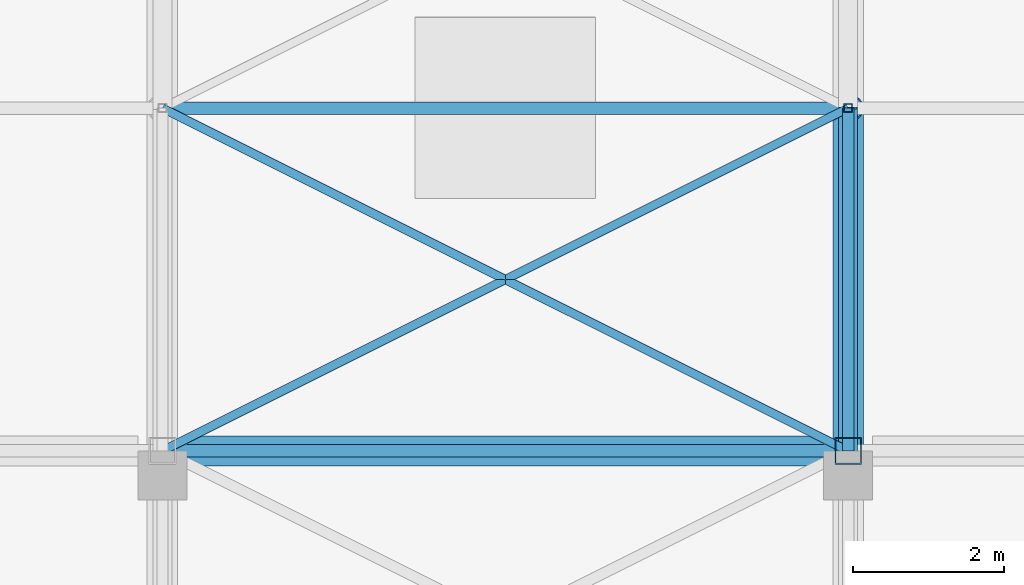
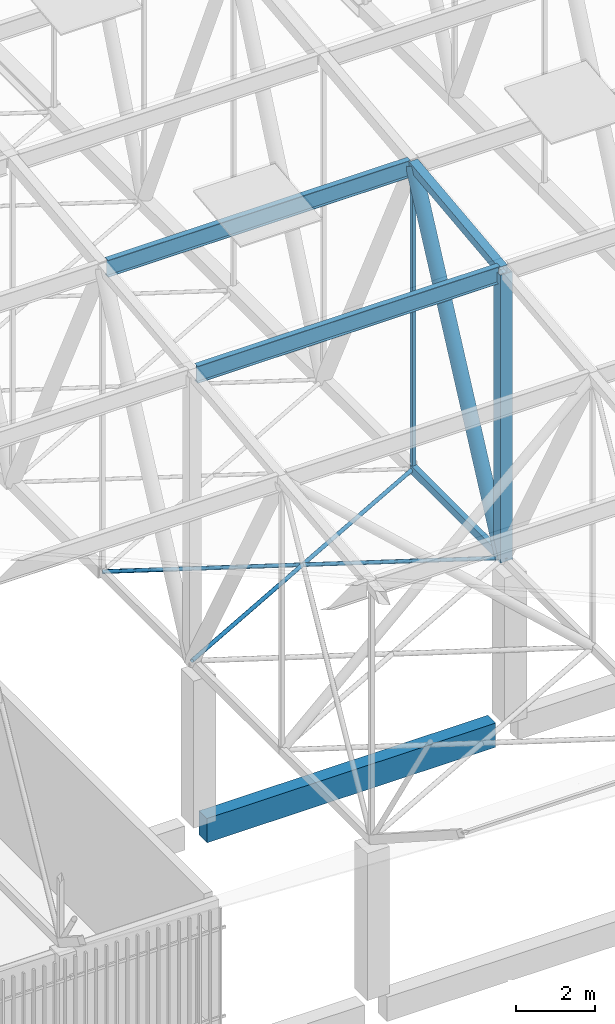
# One storey, part 46 of 500: 9 members, 1 beam.
"""IFC4 building model written with IfcOpenShell, lengths in metres."""

from ifc_helpers import new_model, si_unit, direction, frame, origin, origin_2d, place, context, subcontext, project, spatial, rectangle, hollow_rectangle, hollow_circle, i_section, extrude, material, material_profile, profile_set, type_object, element, save


model = new_model("IFC4")

# Units and contexts
model_context = context("Model", 3, precision=1e-05, world=origin(), true_north=direction((0.0, 1.0)))
body_context = subcontext(model_context, "Body", "Model", "MODEL_VIEW")
ifc_project = project(units=[si_unit("LENGTHUNIT", "METRE"), si_unit("AREAUNIT", "SQUARE_METRE"), si_unit("VOLUMEUNIT", "CUBIC_METRE"), si_unit("PLANEANGLEUNIT", "RADIAN"), si_unit("MASSUNIT", "GRAM", prefix="KILO")], contexts=[model_context])

# Site, building, storey
site_placement = place(None, origin())
site = spatial("IfcSite", under=ifc_project, at=site_placement, CompositionType="ELEMENT")
building_placement = place(site_placement, origin())
building = spatial("IfcBuilding", under=site, at=building_placement, Name="Shirokan Park Arena", CompositionType="ELEMENT")
storey_placement = place(building_placement, frame((0.0, 0.0, 29.1201171875)))
storey = spatial("IfcBuildingStorey", under=building, at=storey_placement, Name="L06", CompositionType="ELEMENT", Elevation=29.1201171875)

# Members
ifc_material_1 = material(Name="Steel ASTM A500 Grade C", Category="steel")
ifc_material_profile_1 = material_profile(ifc_material_1, hollow_rectangle(XDim=0.152099609375, YDim=0.25390625, WallThickness=0.015869140625, at=origin_2d()), Name="HSS254X152.4X15.9")
ifc_profile_set_1 = profile_set([ifc_material_profile_1], Name="Steel ASTM A500 Grade C")
member_type_1 = type_object("IfcMemberType", Name="Bottom chord HSS254X152.4X15.9", PredefinedType="CHORD", material=ifc_profile_set_1)
member_1_placement = place(storey_placement, frame((54.60009765625, 9.10009765625, 4.677001953125), z_axis=(0.0, 1.0, 0.0), x_axis=(-1.0, 0.0, 0.0)))
element("IfcMember", 1, at=member_1_placement, inside=storey, type_object=member_type_1, Name="Truss T07 bottom chord 5", PredefinedType="CHORD", context=body_context, shape_type="SweptSolid", body=[
    extrude(hollow_rectangle(XDim=0.152099609375, YDim=0.25390625, WallThickness=0.015869140625, at=origin_2d()), origin(), (0.0, 0.0, 1.0), 4.5498046875),
])
ifc_material_profile_2 = material_profile(ifc_material_1, hollow_circle(Radius=0.056884765625, WallThickness=0.006103515625, at=origin_2d()), Name="HSS114.3X6")
ifc_profile_set_2 = profile_set([ifc_material_profile_2], Name="Steel ASTM A500 Grade C")
member_type_2 = type_object("IfcMemberType", Name="Plan bracing HSS114.3X6", PredefinedType="BRACE", material=ifc_profile_set_2)
for number, where, z_axis, x_axis, name in (
    (2, (45.5, 9.10009765625, 4.677001953125), (0.8944367893, 0.447194398385, 0.0), (-0.447194398385, 0.8944367893, 0.0), "Plan bracing bay 6 panel 5 A"),
    (3, (54.60009765625, 9.10009765625, 4.677001953125), (-0.8944367893, 0.447194398385, 0.0), (-0.447194398385, -0.8944367893, 0.0), "Plan bracing bay 6 panel 5 B"),
):
    element("IfcMember", number, at=place(storey_placement, frame(where, z_axis=z_axis, x_axis=x_axis)), inside=storey, type_object=member_type_2, Name=name, PredefinedType="BRACE", context=body_context, shape_type="SweptSolid", body=[
        extrude(hollow_circle(Radius=0.056884765625, WallThickness=0.006103515625, at=origin_2d()), origin(), (0.0, 0.0, 1.0), 10.174072265625),
    ])
ifc_material_2 = material(Name="Steel ASTM A992", Category="steel")
ifc_material_profile_3 = material_profile(ifc_material_2, i_section(OverallWidth=0.166015625, OverallDepth=0.528076171875, WebThickness=0.009765625, FlangeThickness=0.013671875, at=origin_2d()), Name="W530X74")
ifc_profile_set_3 = profile_set([ifc_material_profile_3], Name="Steel ASTM A992")
member_type_3 = type_object("IfcMemberType", Name="Purlin W530X74", PredefinedType="PURLIN", material=ifc_profile_set_3)
for number, where, z_axis, x_axis, name in (
    (4, (45.626953125, 9.10009765625, 13.52587890625), (1.0, 0.0, 0.0), (0.0, 1.0, 0.0), "Purlin 5 bay 6"),
    (5, (45.626953125, 13.64990234375, 14.0458984375), (1.0, 0.0, 0.0), (0.0, 1.0, 0.0), "Purlin 6 bay 6"),
):
    element("IfcMember", number, at=place(storey_placement, frame(where, z_axis=z_axis, x_axis=x_axis)), inside=storey, type_object=member_type_3, Name=name, PredefinedType="PURLIN", context=body_context, shape_type="SweptSolid", body=[
        extrude(i_section(OverallWidth=0.166015625, OverallDepth=0.528076171875, WebThickness=0.009765625, FlangeThickness=0.013671875, at=origin_2d()), origin(), (0.0, 0.0, 1.0), 8.845947265625),
    ])

# Beam
ifc_material_3 = material(Name="Concrete C35", Category="concrete")
ifc_material_profile_4 = material_profile(ifc_material_3, rectangle(XDim=0.39990234375, YDim=0.75, at=origin_2d()), Name="400x750")
ifc_profile_set_4 = profile_set([ifc_material_profile_4], Name="Concrete C35")
beam_type = type_object("IfcBeamType", Name="RC girder 400x750", PredefinedType="BEAM", material=ifc_profile_set_4)
beam_placement = place(storey_placement, frame((45.8251953125, 9.10009765625, -0.5751953125), z_axis=(1.0, 0.0, 0.0), x_axis=(0.0, 1.0, 0.0)))
element("IfcBeam", 6, at=beam_placement, inside=storey, type_object=beam_type, Name="Girder 6B-7B L06", PredefinedType="BEAM", context=body_context, shape_type="SweptSolid", body=[
    extrude(rectangle(XDim=0.39990234375, YDim=0.75, at=origin_2d()), origin(), (0.0, 0.0, 1.0), 8.44970703125),
])

# Members
ifc_material_profile_5 = material_profile(ifc_material_1, hollow_rectangle(XDim=0.25390625, YDim=0.25390625, WallThickness=0.009521484375, at=origin_2d()), Name="HSS254X254X9.5")
ifc_profile_set_5 = profile_set([ifc_material_profile_5], Name="Steel ASTM A500 Grade C")
member_type_4 = type_object("IfcMemberType", Name="Top chord HSS254X254X9.5", PredefinedType="CHORD", material=ifc_profile_set_5)
member_2_placement = place(storey_placement, frame((54.60009765625, 9.10009765625, 13.581298828125), z_axis=(0.0, 0.993531641592, 0.11355561261), x_axis=(-1.0, 0.0, 0.0)))
element("IfcMember", 7, at=member_2_placement, inside=storey, type_object=member_type_4, Name="Truss T07 top chord 5", PredefinedType="CHORD", context=body_context, shape_type="SweptSolid", body=[
    extrude(hollow_rectangle(XDim=0.25390625, YDim=0.25390625, WallThickness=0.009521484375, at=origin_2d()), origin(), (0.0, 0.0, 1.0), 4.579345703125),
])
ifc_material_profile_6 = material_profile(ifc_material_1, hollow_circle(Radius=0.202880859375, WallThickness=0.015869140625, at=origin_2d()), Name="HSS406.4X15.9")
ifc_profile_set_6 = profile_set([ifc_material_profile_6], Name="Steel ASTM A500 Grade C")
member_type_5 = type_object("IfcMemberType", Name="Truss diagonal HSS406.4X15.9", PredefinedType="BRACE", material=ifc_profile_set_6)
member_3_placement = place(storey_placement, frame((54.60009765625, 9.10009765625, 4.677001953125), z_axis=(0.0, 0.434759504242, 0.900546597057), x_axis=(-1.0, 0.0, 0.0)))
element("IfcMember", 8, at=member_3_placement, inside=storey, type_object=member_type_5, Name="Truss T07 diagonal 5", PredefinedType="BRACE", context=body_context, shape_type="SweptSolid", body=[
    extrude(hollow_circle(Radius=0.202880859375, WallThickness=0.015869140625, at=origin_2d()), origin(), (0.0, 0.0, 1.0), 10.465087890625),
])
ifc_material_profile_7 = material_profile(ifc_material_1, hollow_rectangle(XDim=0.114013671875, YDim=0.114013671875, WallThickness=0.00634765625, at=origin_2d()), Name="HSS114.3X114.3X6.4")
ifc_profile_set_7 = profile_set([ifc_material_profile_7], Name="Steel ASTM A500 Grade C")
member_type_6 = type_object("IfcMemberType", Name="Truss post HSS114.3X114.3X6.4", PredefinedType="POST", material=ifc_profile_set_7)
member_4_placement = place(storey_placement, frame((54.60009765625, 13.64990234375, 4.677001953125), z_axis=(0.0, 0.0, 1.0), x_axis=(1.0, 0.0, 0.0)))
element("IfcMember", 9, at=member_4_placement, inside=storey, type_object=member_type_6, Name="Truss T07 post 6", PredefinedType="POST", context=body_context, shape_type="SweptSolid", body=[
    extrude(hollow_rectangle(XDim=0.114013671875, YDim=0.114013671875, WallThickness=0.00634765625, at=origin_2d()), origin(), (0.0, 0.0, 1.0), 9.42431640625),
])
ifc_material_profile_8 = material_profile(ifc_material_1, hollow_rectangle(XDim=0.35595703125, YDim=0.35595703125, WallThickness=0.015869140625, at=origin_2d()), Name="HSS355.6X355.6X15.9")
ifc_profile_set_8 = profile_set([ifc_material_profile_8], Name="Steel ASTM A500 Grade C")
member_type_7 = type_object("IfcMemberType", Name="Truss post HSS355.6X355.6X15.9", PredefinedType="POST", material=ifc_profile_set_8)
member_5_placement = place(storey_placement, frame((54.60009765625, 9.10009765625, 4.677001953125), z_axis=(0.0, 0.0, 1.0), x_axis=(1.0, 0.0, 0.0)))
element("IfcMember", 10, at=member_5_placement, inside=storey, type_object=member_type_7, Name="Truss T07 post 5", PredefinedType="POST", context=body_context, shape_type="SweptSolid", body=[
    extrude(hollow_rectangle(XDim=0.35595703125, YDim=0.35595703125, WallThickness=0.015869140625, at=origin_2d()), origin(), (0.0, 0.0, 1.0), 8.904296875),
])

save(model, "model.ifc")
